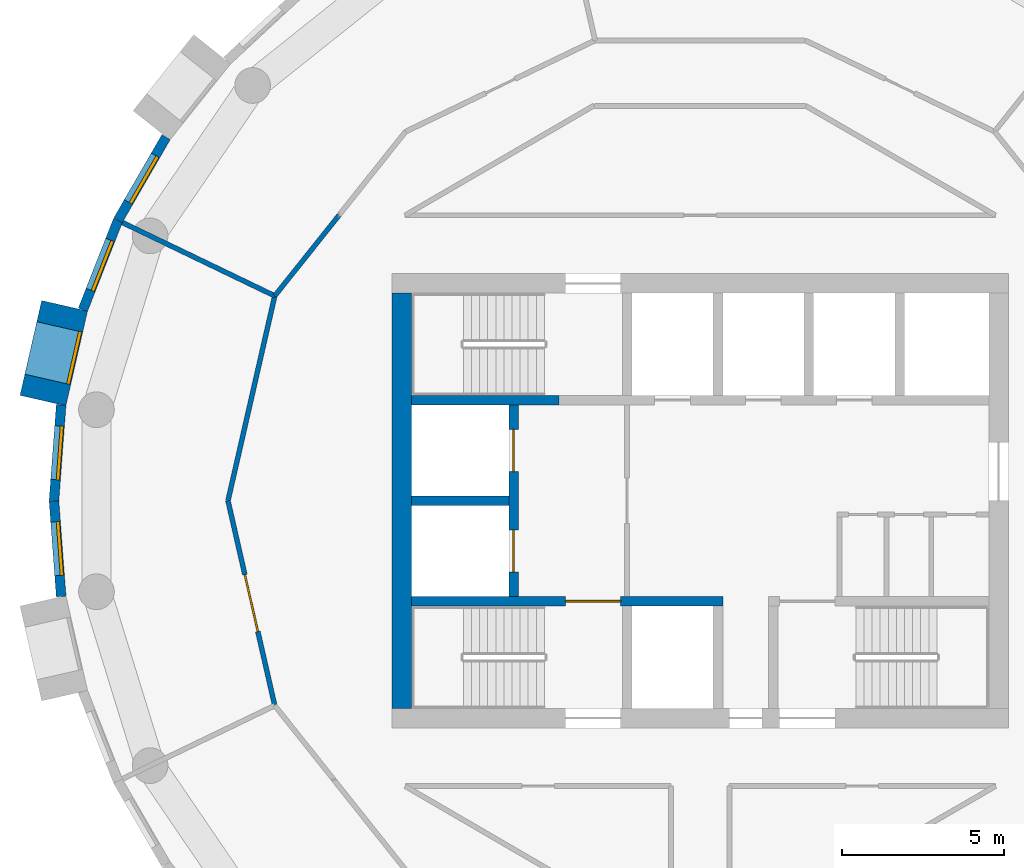
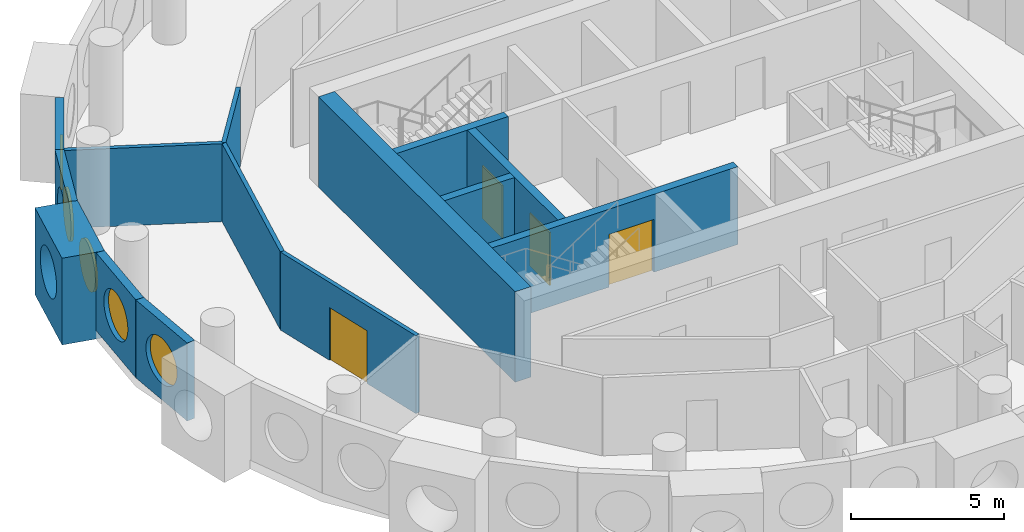
# One storey, part 6 of 13: 14 walls, 5 windows, 4 doors, 9 openings.
"""IFC4 building model written with IfcOpenShell, lengths in metres."""

from ifc_helpers import new_model, si_unit, direction, frame, frame_2d, origin, origin_2d, place, context, subcontext, project, spatial, rectangle, circle, extrude, material, layer, layer_set, type_object, element, fill, save


model = new_model("IFC4")

# Units and contexts
model_context = context("Model", 3, precision=1e-05, world=origin(), true_north=direction((0.0, 1.0)))
body_context = subcontext(model_context, "Body", "Model", "MODEL_VIEW")
ifc_project = project(units=[si_unit("LENGTHUNIT", "METRE"), si_unit("AREAUNIT", "SQUARE_METRE"), si_unit("VOLUMEUNIT", "CUBIC_METRE"), si_unit("PLANEANGLEUNIT", "RADIAN"), si_unit("MASSUNIT", "GRAM", prefix="KILO")], contexts=[model_context])

# Site, building, storey
site_placement = place(None, origin())
site = spatial("IfcSite", under=ifc_project, at=site_placement, CompositionType="ELEMENT")
building_placement = place(site_placement, origin())
building = spatial("IfcBuilding", under=site, at=building_placement, Name="Tracery Tower", CompositionType="ELEMENT")
storey_placement = place(building_placement, frame((0.0, 0.0, 274.199951171875)))
storey = spatial("IfcBuildingStorey", under=building, at=storey_placement, Name="L71", CompositionType="ELEMENT", Elevation=274.199951171875)

# Wall
ifc_material_1 = material(Name="Concrete C40/50", Category="concrete")
ifc_layer_1 = layer(ifc_material_1, 0.60009765625)
ifc_layer_set_1 = layer_set([ifc_layer_1], Name="Core wall 600 C40")
wall_type_1 = type_object("IfcWallType", Name="Core wall 600 C40", PredefinedType="SOLIDWALL", material=ifc_layer_set_1)
wall_1_placement = place(storey_placement, frame((-9.199951171875, -6.39990234375, 0.0), z_axis=(0.0, 0.0, 1.0), x_axis=(0.0, 1.0, 0.0)))
element("IfcWall", 1, at=wall_1_placement, inside=storey, type_object=wall_type_1, Name="L71 outer W", PredefinedType="SOLIDWALL", context=body_context, shape_type="SweptSolid", body=[
    extrude(rectangle(XDim=12.7998046875, YDim=0.60009765625, at=frame_2d((6.39990234375, 0.0))), origin(), (0.0, 0.0, 1.0), 3.60009765625),
])

# Wall, opening, window
ifc_material_2 = material(Name="Precast concrete C50/60", Category="concrete")
ifc_layer_2 = layer(ifc_material_2, 1.449951171875)
ifc_layer_set_2 = layer_set([ifc_layer_2], Name="Deep-set bay unit 3000 x 3450, slab edge 350")
wall_type_2 = type_object("IfcWallType", Name="Deep-set bay unit 3000 x 3450, slab edge 350", PredefinedType="ELEMENTEDWALL", material=ifc_layer_set_2)
wall_2_placement = place(storey_placement, frame((-19.5947265625, 6.010986328125, -0.349853515625), z_axis=(0.0, 0.0, 1.0), x_axis=(-0.222570682856, -0.974916555985, 0.0)))
wall_2 = element("IfcWall", 2, at=wall_2_placement, inside=storey, type_object=wall_type_2, Name="Deep-set bay unit 20 at L71", PredefinedType="ELEMENTEDWALL", context=body_context, shape_type="SweptSolid", body=[
    extrude(rectangle(XDim=3.0, YDim=1.449951171875, at=frame_2d((1.5, 0.0))), origin(), (0.0, 0.0, 1.0), 3.449951171875),
])
opening_1_placement = place(wall_2_placement, frame((1.5, 0.0, 1.89990234375)))
opening_1 = element("IfcOpeningElement", 3, at=opening_1_placement, cuts=wall_2, Name="Opening WN1", PredefinedType="OPENING", context=body_context, shape_type="SweptSolid", body=[
    extrude(circle(Radius=0.9000244140625, at=origin_2d()), frame((0.0, 0.73486328125, 0.0), z_axis=(0.0, -1.0, 0.0), x_axis=(1.0, 0.0, 0.0)), (0.0, 0.0, 1.0), 1.469970703125),
])
ifc_material_3 = material(Name="Aluminium frame with tinted double glazing", Category="aluminium")
window_type = type_object("IfcWindowType", Name="Round window 1800", PartitioningType="SINGLE_PANEL", PredefinedType="WINDOW", material=ifc_material_3)
window_1_placement = place(opening_1_placement, origin())
window_1 = element("IfcWindow", 4, at=window_1_placement, inside=storey, type_object=window_type, Name="Round window 20 at L71", OverallHeight=1.800048828125, OverallWidth=1.800048828125, PartitioningType="SINGLE_PANEL", PredefinedType="WINDOW", context=body_context, shape_type="SweptSolid", body=[
    extrude(circle(Radius=0.9000244140625, at=origin_2d()), frame((0.0, 0.69482421875, 0.0), z_axis=(0.0, -1.0, 0.0), x_axis=(1.0, 0.0, 0.0)), (0.0, 0.0, 1.0), 0.10009765625),
])
fill(opening_1, window_1)

ifc_material_4 = material(Name="Precast concrete C50/60", Category="concrete")
ifc_layer_3 = layer(ifc_material_4, 0.300048828125)
ifc_layer_set_3 = layer_set([ifc_layer_3], Name="Facade panel 3000 x 3100")
wall_type_3 = type_object("IfcWallType", Name="Facade panel 3000 x 3100", PredefinedType="SOLIDWALL", material=ifc_layer_set_3)
wall_3_placement = place(storey_placement, frame((-16.4677734375, 11.209228515625, 0.0), z_axis=(0.0, 0.0, 1.0), x_axis=(-0.500012570604, -0.866018146021, 0.0)))
wall_3 = element("IfcWall", 5, at=wall_3_placement, inside=storey, type_object=wall_type_3, Name="Facade panel 18 at L71", PredefinedType="SOLIDWALL", context=body_context, shape_type="SweptSolid", body=[
    extrude(rectangle(XDim=2.96240234375, YDim=0.300048828125, at=frame_2d((1.481201171875, 0.0))), origin(), (0.0, 0.0, 1.0), 3.10009765625),
])
opening_2_placement = place(wall_3_placement, frame((1.48095703125, 0.0, 1.5498046875)))
opening_2 = element("IfcOpeningElement", 6, at=opening_2_placement, cuts=wall_3, Name="Opening WN1", PredefinedType="OPENING", context=body_context, shape_type="SweptSolid", body=[
    extrude(circle(Radius=0.9000244140625, at=origin_2d()), frame((0.0, 0.159912109375, 0.0), z_axis=(0.0, -1.0, 0.0), x_axis=(1.0, 0.0, 0.0)), (0.0, 0.0, 1.0), 0.320068359375),
])
window_2_placement = place(opening_2_placement, origin())
window_2 = element("IfcWindow", 7, at=window_2_placement, inside=storey, type_object=window_type, Name="Round window 18 at L71", OverallHeight=1.800048828125, OverallWidth=1.800048828125, PartitioningType="SINGLE_PANEL", PredefinedType="WINDOW", context=body_context, shape_type="SweptSolid", body=[
    extrude(circle(Radius=0.9000244140625, at=origin_2d()), frame((0.0, 0.1201171875, 0.0), z_axis=(0.0, -1.0, 0.0), x_axis=(1.0, 0.0, 0.0)), (0.0, 0.0, 1.0), 0.10009765625),
])
fill(opening_2, window_2)

wall_4_placement = place(storey_placement, frame((-17.948974609375, 8.643798828125, 0.0), z_axis=(0.0, 0.0, 1.0), x_axis=(-0.365343821297, -0.930872650925, 0.0)))
wall_4 = element("IfcWall", 8, at=wall_4_placement, inside=storey, type_object=wall_type_3, Name="Facade panel 19 at L71", PredefinedType="SOLIDWALL", context=body_context, shape_type="SweptSolid", body=[
    extrude(rectangle(XDim=2.96240234375, YDim=0.300048828125, at=frame_2d((1.481201171875, 0.0))), origin(), (0.0, 0.0, 1.0), 3.10009765625),
])
opening_3_placement = place(wall_4_placement, frame((1.48095703125, 0.0, 1.5498046875)))
opening_3 = element("IfcOpeningElement", 9, at=opening_3_placement, cuts=wall_4, Name="Opening WN1", PredefinedType="OPENING", context=body_context, shape_type="SweptSolid", body=[
    extrude(circle(Radius=0.9000244140625, at=origin_2d()), frame((0.0, 0.159912109375, 0.0), z_axis=(0.0, -1.0, 0.0), x_axis=(1.0, 0.0, 0.0)), (0.0, 0.0, 1.0), 0.320068359375),
])
window_3_placement = place(opening_3_placement, origin())
window_3 = element("IfcWindow", 10, at=window_3_placement, inside=storey, type_object=window_type, Name="Round window 19 at L71", OverallHeight=1.800048828125, OverallWidth=1.800048828125, PartitioningType="SINGLE_PANEL", PredefinedType="WINDOW", context=body_context, shape_type="SweptSolid", body=[
    extrude(circle(Radius=0.9000244140625, at=origin_2d()), frame((0.0, 0.1201171875, 0.0), z_axis=(0.0, -1.0, 0.0), x_axis=(1.0, 0.0, 0.0)), (0.0, 0.0, 1.0), 0.10009765625),
])
fill(opening_3, window_3)

wall_5_placement = place(storey_placement, frame((-19.700439453125, 2.953857421875, 0.0), z_axis=(0.0, 0.0, 1.0), x_axis=(-0.074755115547, -0.997201921729, 0.0)))
wall_5 = element("IfcWall", 11, at=wall_5_placement, inside=storey, type_object=wall_type_3, Name="Facade panel 21 at L71", PredefinedType="SOLIDWALL", context=body_context, shape_type="SweptSolid", body=[
    extrude(rectangle(XDim=2.962158203125, YDim=0.300048828125, at=frame_2d((1.48095703125, 0.0))), origin(), (0.0, 0.0, 1.0), 3.10009765625),
])
opening_4_placement = place(wall_5_placement, frame((1.48095703125, 0.0, 1.5498046875)))
opening_4 = element("IfcOpeningElement", 12, at=opening_4_placement, cuts=wall_5, Name="Opening WN1", PredefinedType="OPENING", context=body_context, shape_type="SweptSolid", body=[
    extrude(circle(Radius=0.9000244140625, at=origin_2d()), frame((0.0, 0.159912109375, 0.0), z_axis=(0.0, -1.0, 0.0), x_axis=(1.0, 0.0, 0.0)), (0.0, 0.0, 1.0), 0.320068359375),
])
window_4_placement = place(opening_4_placement, origin())
window_4 = element("IfcWindow", 13, at=window_4_placement, inside=storey, type_object=window_type, Name="Round window 21 at L71", OverallHeight=1.800048828125, OverallWidth=1.800048828125, PartitioningType="SINGLE_PANEL", PredefinedType="WINDOW", context=body_context, shape_type="SweptSolid", body=[
    extrude(circle(Radius=0.9000244140625, at=origin_2d()), frame((0.0, 0.1201171875, 0.0), z_axis=(0.0, -1.0, 0.0), x_axis=(1.0, 0.0, 0.0)), (0.0, 0.0, 1.0), 0.10009765625),
])
fill(opening_4, window_4)

wall_6_placement = place(storey_placement, frame((-19.921875, 0.0, 0.0), z_axis=(0.0, 0.0, 1.0), x_axis=(0.074755115547, -0.997201921729, 0.0)))
wall_6 = element("IfcWall", 14, at=wall_6_placement, inside=storey, type_object=wall_type_3, Name="Facade panel 22 at L71", PredefinedType="SOLIDWALL", context=body_context, shape_type="SweptSolid", body=[
    extrude(rectangle(XDim=2.962158203125, YDim=0.300048828125, at=frame_2d((1.48095703125, 0.0))), origin(), (0.0, 0.0, 1.0), 3.10009765625),
])
opening_5_placement = place(wall_6_placement, frame((1.48095703125, 0.0, 1.5498046875)))
opening_5 = element("IfcOpeningElement", 15, at=opening_5_placement, cuts=wall_6, Name="Opening WN1", PredefinedType="OPENING", context=body_context, shape_type="SweptSolid", body=[
    extrude(circle(Radius=0.9000244140625, at=origin_2d()), frame((0.0, 0.159912109375, 0.0), z_axis=(0.0, -1.0, 0.0), x_axis=(1.0, 0.0, 0.0)), (0.0, 0.0, 1.0), 0.320068359375),
])
window_5_placement = place(opening_5_placement, origin())
window_5 = element("IfcWindow", 16, at=window_5_placement, inside=storey, type_object=window_type, Name="Round window 22 at L71", OverallHeight=1.800048828125, OverallWidth=1.800048828125, PartitioningType="SINGLE_PANEL", PredefinedType="WINDOW", context=body_context, shape_type="SweptSolid", body=[
    extrude(circle(Radius=0.9000244140625, at=origin_2d()), frame((0.0, 0.1201171875, 0.0), z_axis=(0.0, -1.0, 0.0), x_axis=(1.0, 0.0, 0.0)), (0.0, 0.0, 1.0), 0.10009765625),
])
fill(opening_5, window_5)

# Walls
ifc_material_5 = material(Name="Plasterboard on steel studs", Category="steel")
ifc_layer_4 = layer(ifc_material_5, 0.14990234375)
ifc_layer_set_4 = layer_set([ifc_layer_4], Name="Partition 150 acoustic unit wall")
wall_type_4 = type_object("IfcWallType", Name="Partition 150 acoustic unit wall", PredefinedType="PARTITIONING", material=ifc_layer_set_4)
wall_7_placement = place(storey_placement, frame((-17.81298828125, 8.577880859375, 0.0), z_axis=(0.0, 0.0, 1.0), x_axis=(0.901004381064, -0.433809987557, 0.0)))
element("IfcWall", 17, at=wall_7_placement, inside=storey, type_object=wall_type_4, Name="Unit wall RC5-046", PredefinedType="PARTITIONING", context=body_context, shape_type="SweptSolid", body=[
    extrude(rectangle(XDim=5.214111328125, YDim=0.14990234375, at=frame_2d((2.60693359375, 0.0))), origin(), (0.0, 0.0, 1.0), 3.10009765625),
])
ifc_material_6 = material(Name="Plasterboard on steel studs", Category="steel")
ifc_layer_5 = layer(ifc_material_6, 0.14990234375)
ifc_layer_set_5 = layer_set([ifc_layer_5], Name="Partition 150 corridor wall")
wall_type_5 = type_object("IfcWallType", Name="Partition 150 corridor wall", PredefinedType="PARTITIONING", material=ifc_layer_set_5)
wall_8_placement = place(storey_placement, frame((-13.114990234375, 6.31591796875, 0.0), z_axis=(0.0, 0.0, 1.0), x_axis=(0.623476099415, 0.781842409606, 0.0)))
element("IfcWall", 18, at=wall_8_placement, inside=storey, type_object=wall_type_5, Name="Corridor wall RC5-030", PredefinedType="PARTITIONING", context=body_context, shape_type="SweptSolid", body=[
    extrude(rectangle(XDim=3.17724609375, YDim=0.14990234375, at=frame_2d((1.588623046875, 0.0))), origin(), (0.0, 0.0, 1.0), 3.10009765625),
])

# Wall, opening, door
wall_9_placement = place(storey_placement, frame((-14.556884765625, 0.0, 0.0), z_axis=(0.0, 0.0, 1.0), x_axis=(0.222568978642, -0.97491694505, 0.0)))
wall_9 = element("IfcWall", 19, at=wall_9_placement, inside=storey, type_object=wall_type_5, Name="Corridor wall RC5-031", PredefinedType="PARTITIONING", context=body_context, shape_type="SweptSolid", body=[
    extrude(rectangle(XDim=6.478515625, YDim=0.14990234375, at=frame_2d((3.2392578125, 0.0))), origin(), (0.0, 0.0, 1.0), 3.10009765625),
])
opening_6_placement = place(wall_9_placement, frame((2.339599609375, 0.0, 0.0)))
opening_6 = element("IfcOpeningElement", 20, at=opening_6_placement, cuts=wall_9, Name="Opening RC5-07", PredefinedType="OPENING", context=body_context, shape_type="SweptSolid", body=[
    extrude(rectangle(XDim=1.800048828125, YDim=2.10009765625, at=frame_2d((0.89990234375, 1.050048828125))), frame((0.0, 0.074951171875, 0.0), z_axis=(0.0, -1.0, 0.0), x_axis=(1.0, 0.0, 0.0)), (0.0, 0.0, 1.0), 0.14990234375),
])
ifc_material_7 = material(Name="Timber door leaf", Category="wood")
door_type_1 = type_object("IfcDoorType", Name="Door double lounge 1800", OperationType="NOTDEFINED", PredefinedType="DOOR", material=ifc_material_7)
door_1_placement = place(opening_6_placement, origin())
door_1 = element("IfcDoor", 21, at=door_1_placement, inside=storey, type_object=door_type_1, Name="Double lounge door RC5-07", OperationType="DOUBLE_DOOR_SINGLE_SWING", OverallHeight=2.10009765625, OverallWidth=1.800048828125, PredefinedType="DOOR", context=body_context, shape_type="SweptSolid", body=[
    extrude(rectangle(XDim=1.800048828125, YDim=2.10009765625, at=frame_2d((0.89990234375, 1.050048828125))), frame((0.0, 0.02490234375, 0.0), z_axis=(0.0, -1.0, 0.0), x_axis=(1.0, 0.0, 0.0)), (0.0, 0.0, 1.0), 0.050048828125),
])
fill(opening_6, door_1)

# Walls
wall_10_placement = place(storey_placement, frame((-14.556884765625, 0.0, 0.0), z_axis=(0.0, 0.0, 1.0), x_axis=(0.222568978642, 0.97491694505, 0.0)))
element("IfcWall", 22, at=wall_10_placement, inside=storey, type_object=wall_type_5, Name="Corridor wall RC5-032", PredefinedType="PARTITIONING", context=body_context, shape_type="SweptSolid", body=[
    extrude(rectangle(XDim=6.478515625, YDim=0.14990234375, at=frame_2d((3.2392578125, 0.0))), origin(), (0.0, 0.0, 1.0), 3.10009765625),
])
ifc_material_8 = material(Name="Concrete C40/50", Category="concrete")
ifc_layer_6 = layer(ifc_material_8, 0.300048828125)
ifc_layer_set_6 = layer_set([ifc_layer_6], Name="Shaft wall 300 C40")
wall_type_6 = type_object("IfcWallType", Name="Shaft wall 300 C40", PredefinedType="SOLIDWALL", material=ifc_layer_set_6)
wall_11_placement = place(storey_placement, frame((-8.89990234375, 0.0, 0.0), z_axis=(0.0, 0.0, 1.0), x_axis=(1.0, 0.0, 0.0)))
element("IfcWall", 23, at=wall_11_placement, inside=storey, type_object=wall_type_6, Name="L71 FF split", PredefinedType="SOLIDWALL", context=body_context, shape_type="SweptSolid", body=[
    extrude(rectangle(XDim=3.0, YDim=0.300048828125, at=frame_2d((1.5, 0.0))), origin(), (0.0, 0.0, 1.0), 3.10009765625),
])

# Wall, openings, doors
wall_12_placement = place(storey_placement, frame((-5.75, -2.949951171875, 0.0), z_axis=(0.0, 0.0, 1.0), x_axis=(0.0, 1.0, 0.0)))
wall_12 = element("IfcWall", 24, at=wall_12_placement, inside=storey, type_object=wall_type_6, Name="L71 FF doors", PredefinedType="SOLIDWALL", context=body_context, shape_type="SweptSolid", body=[
    extrude(rectangle(XDim=5.89990234375, YDim=0.300048828125, at=frame_2d((2.949951171875, 0.0))), origin(), (0.0, 0.0, 1.0), 3.10009765625),
])
opening_7_placement = place(wall_12_placement, frame((0.75, 0.0, 0.0)))
opening_7 = element("IfcOpeningElement", 25, at=opening_7_placement, cuts=wall_12, Name="Opening KD54", PredefinedType="OPENING", context=body_context, shape_type="SweptSolid", body=[
    extrude(rectangle(XDim=1.300048828125, YDim=2.10009765625, at=frame_2d((0.64990234375, 1.050048828125))), frame((0.0, 0.14990234375, 0.0), z_axis=(0.0, -1.0, 0.0), x_axis=(1.0, 0.0, 0.0)), (0.0, 0.0, 1.0), 0.300048828125),
])
opening_8_placement = place(wall_12_placement, frame((3.85009765625, 0.0, 0.0)))
opening_8 = element("IfcOpeningElement", 26, at=opening_8_placement, cuts=wall_12, Name="Opening KD55", PredefinedType="OPENING", context=body_context, shape_type="SweptSolid", body=[
    extrude(rectangle(XDim=1.300048828125, YDim=2.10009765625, at=frame_2d((0.64990234375, 1.050048828125))), frame((0.0, 0.14990234375, 0.0), z_axis=(0.0, -1.0, 0.0), x_axis=(1.0, 0.0, 0.0)), (0.0, 0.0, 1.0), 0.300048828125),
])
ifc_material_9 = material(Name="Steel fire door", Category="steel")
door_type_2 = type_object("IfcDoorType", Name="Landing door FF 1300", OperationType="NOTDEFINED", PredefinedType="DOOR", material=ifc_material_9)
door_2_placement = place(opening_7_placement, origin())
door_2 = element("IfcDoor", 27, at=door_2_placement, inside=storey, type_object=door_type_2, Name="Landing door FF1", OperationType="SLIDING_TO_LEFT", OverallHeight=2.10009765625, OverallWidth=1.300048828125, PredefinedType="DOOR", context=body_context, shape_type="SweptSolid", body=[
    extrude(rectangle(XDim=1.300048828125, YDim=2.10009765625, at=frame_2d((0.64990234375, 1.050048828125))), frame((0.0, 0.02490234375, 0.0), z_axis=(0.0, -1.0, 0.0), x_axis=(1.0, 0.0, 0.0)), (0.0, 0.0, 1.0), 0.050048828125),
])
fill(opening_7, door_2)
door_3_placement = place(opening_8_placement, origin())
door_3 = element("IfcDoor", 28, at=door_3_placement, inside=storey, type_object=door_type_2, Name="Landing door FF2", OperationType="SLIDING_TO_RIGHT", OverallHeight=2.10009765625, OverallWidth=1.300048828125, PredefinedType="DOOR", context=body_context, shape_type="SweptSolid", body=[
    extrude(rectangle(XDim=1.300048828125, YDim=2.10009765625, at=frame_2d((0.64990234375, 1.050048828125))), frame((0.0, 0.02490234375, 0.0), z_axis=(0.0, -1.0, 0.0), x_axis=(1.0, 0.0, 0.0)), (0.0, 0.0, 1.0), 0.050048828125),
])
fill(opening_8, door_3)

# Wall, opening, door
ifc_material_10 = material(Name="Concrete C40/50", Category="concrete")
ifc_layer_7 = layer(ifc_material_10, 0.300048828125)
ifc_layer_set_7 = layer_set([ifc_layer_7], Name="Stair wall 300 C40")
wall_type_7 = type_object("IfcWallType", Name="Stair wall 300 C40", PredefinedType="SOLIDWALL", material=ifc_layer_set_7)
wall_13_placement = place(storey_placement, frame((-8.89990234375, -3.10009765625, 0.0), z_axis=(0.0, 0.0, 1.0), x_axis=(1.0, 0.0, 0.0)))
wall_13 = element("IfcWall", 29, at=wall_13_placement, inside=storey, type_object=wall_type_7, Name="L71 row S", PredefinedType="SOLIDWALL", context=body_context, shape_type="SweptSolid", body=[
    extrude(rectangle(XDim=9.599853515625, YDim=0.300048828125, at=frame_2d((4.7998046875, 0.0))), origin(), (0.0, 0.0, 1.0), 3.10009765625),
])
opening_9_placement = place(wall_13_placement, frame((4.75, 0.0, 0.0)))
opening_9 = element("IfcOpeningElement", 30, at=opening_9_placement, cuts=wall_13, Name="Opening KD3", PredefinedType="OPENING", context=body_context, shape_type="SweptSolid", body=[
    extrude(rectangle(XDim=1.699951171875, YDim=2.10009765625, at=frame_2d((0.85009765625, 1.050048828125))), frame((0.0, 0.14990234375, 0.0), z_axis=(0.0, -1.0, 0.0), x_axis=(1.0, 0.0, 0.0)), (0.0, 0.0, 1.0), 0.300048828125),
])
ifc_material_11 = material(Name="Steel fire door", Category="steel")
door_type_3 = type_object("IfcDoorType", Name="Core stair door 1700 double", OperationType="NOTDEFINED", PredefinedType="DOOR", material=ifc_material_11)
door_4_placement = place(opening_9_placement, origin())
door_4 = element("IfcDoor", 31, at=door_4_placement, inside=storey, type_object=door_type_3, Name="Stair door ST1", OperationType="DOUBLE_DOOR_SINGLE_SWING", OverallHeight=2.10009765625, OverallWidth=1.699951171875, PredefinedType="DOOR", context=body_context, shape_type="SweptSolid", body=[
    extrude(rectangle(XDim=1.699951171875, YDim=2.10009765625, at=frame_2d((0.85009765625, 1.050048828125))), frame((0.0, 0.02490234375, 0.0), z_axis=(0.0, -1.0, 0.0), x_axis=(1.0, 0.0, 0.0)), (0.0, 0.0, 1.0), 0.050048828125),
])
fill(opening_9, door_4)

# Wall
wall_14_placement = place(storey_placement, frame((-8.89990234375, 3.10009765625, 0.0), z_axis=(0.0, 0.0, 1.0), x_axis=(1.0, 0.0, 0.0)))
element("IfcWall", 32, at=wall_14_placement, inside=storey, type_object=wall_type_7, Name="L71 row N W", PredefinedType="SOLIDWALL", context=body_context, shape_type="SweptSolid", body=[
    extrude(rectangle(XDim=4.5498046875, YDim=0.300048828125, at=frame_2d((2.27490234375, 0.0))), origin(), (0.0, 0.0, 1.0), 3.10009765625),
])

save(model, "model.ifc")
